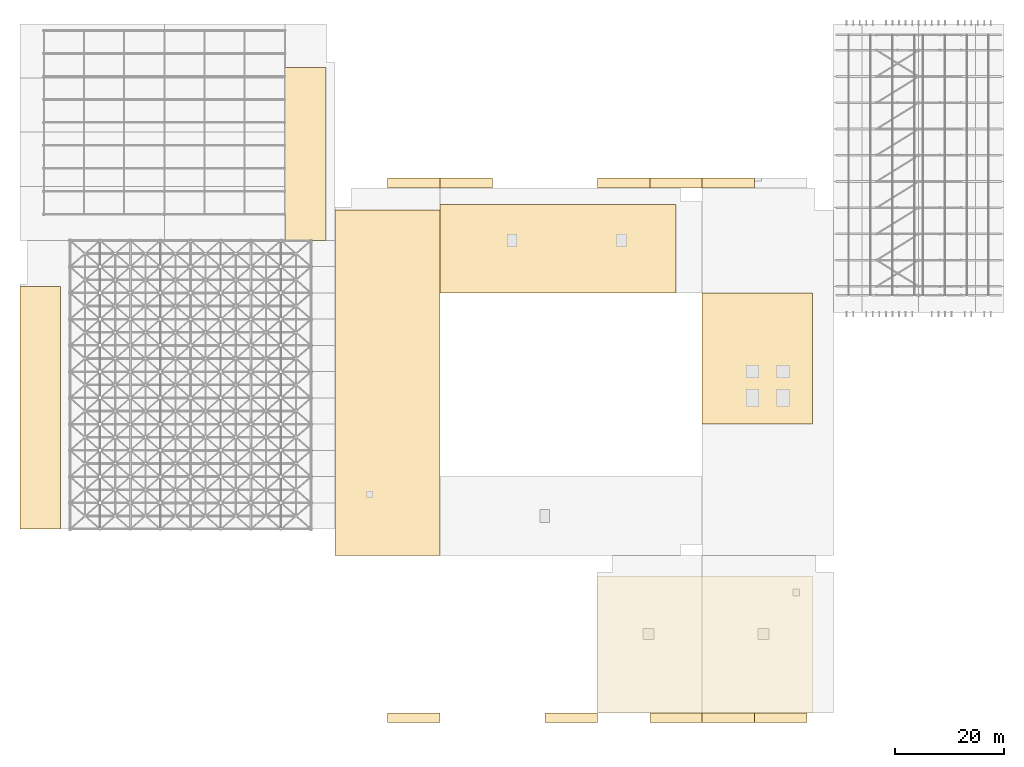
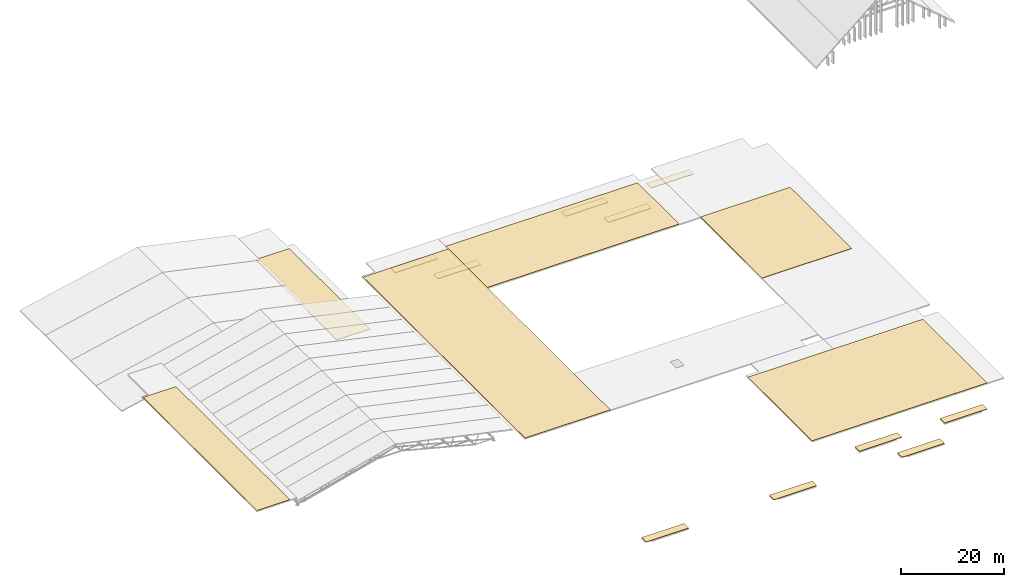
# One storey, part 58 of 60: 16 coverings.
"""IFC4 building model written with IfcOpenShell, lengths in metres."""

from ifc_helpers import new_model, si_unit, direction, frame, origin, place, context, subcontext, project, spatial, polyline, outline, extrude, material, layer, layer_set, type_object, element, save


model = new_model("IFC4")

# Units and contexts
model_context = context("Model", 3, precision=1e-05, world=origin(), true_north=direction((0.0, 1.0)))
body_context = subcontext(model_context, "Body", "Model", "MODEL_VIEW")
ifc_project = project(units=[si_unit("LENGTHUNIT", "METRE"), si_unit("AREAUNIT", "SQUARE_METRE"), si_unit("VOLUMEUNIT", "CUBIC_METRE"), si_unit("PLANEANGLEUNIT", "RADIAN"), si_unit("MASSUNIT", "GRAM", prefix="KILO")], contexts=[model_context])

# Site, building, storey
site_placement = place(None, origin())
site = spatial("IfcSite", under=ifc_project, at=site_placement, CompositionType="ELEMENT")
building_placement = place(site_placement, origin())
building = spatial("IfcBuilding", under=site, at=building_placement, Name="Nakhvara Creek Congress Hotel", CompositionType="ELEMENT")
storey_placement = place(building_placement, frame((0.0, 0.0, 54.60009765625)))
storey = spatial("IfcBuildingStorey", under=building, at=storey_placement, Name="RL1", CompositionType="ELEMENT", Elevation=54.60009765625)

# Coverings
ifc_material = material(Name="High-SRI cool-roof EPDM membrane and tapered insulation")
ifc_layer = layer(ifc_material, 0.080078125)
ifc_layer_set = layer_set([ifc_layer], Name="High-SRI cool-roof EPDM membrane and tapered insulation")
covering_type = type_object("IfcCoveringType", Name="COV-ROOF-MEM", PredefinedType="ROOFING", material=ifc_layer_set)
covering_1_placement = place(storey_placement, frame((0.0, 0.0, -38.400146484375)))
element("IfcCovering", 1, at=covering_1_placement, inside=storey, type_object=covering_type, Name="Glazed Box Limestone Coping Cap PBOX-L02-N1", PredefinedType="ROOFING", context=body_context, shape_type="SweptSolid", body=[
    extrude(outline(polyline([(67.199951171875, 96.0), (76.800048828125, 96.0), (76.800048828125, 97.800048828125), (67.199951171875, 97.800048828125), (67.199951171875, 96.0)])), origin(), (0.0, 0.0, 1.0), 0.1201171875),
])
covering_2_placement = place(storey_placement, frame((0.0, 0.0, -38.400146484375)))
element("IfcCovering", 2, at=covering_2_placement, inside=storey, type_object=covering_type, Name="Glazed Box Limestone Coping Cap PBOX-L02-N2", PredefinedType="ROOFING", context=body_context, shape_type="SweptSolid", body=[
    extrude(outline(polyline([(105.60009765625, 96.0), (115.199951171875, 96.0), (115.199951171875, 97.800048828125), (105.60009765625, 97.800048828125), (105.60009765625, 96.0)])), origin(), (0.0, 0.0, 1.0), 0.1201171875),
])
covering_3_placement = place(storey_placement, frame((0.0, 0.0, -38.400146484375)))
element("IfcCovering", 3, at=covering_3_placement, inside=storey, type_object=covering_type, Name="Glazed Box Limestone Coping Cap PBOX-L02-N3", PredefinedType="ROOFING", context=body_context, shape_type="SweptSolid", body=[
    extrude(outline(polyline([(124.800048828125, 96.0), (134.39990234375, 96.0), (134.39990234375, 97.800048828125), (124.800048828125, 97.800048828125), (124.800048828125, 96.0)])), origin(), (0.0, 0.0, 1.0), 0.1201171875),
])
covering_4_placement = place(storey_placement, frame((0.0, 0.0, -38.400146484375)))
element("IfcCovering", 4, at=covering_4_placement, inside=storey, type_object=covering_type, Name="Glazed Box Limestone Coping Cap PBOX-L02-S1", PredefinedType="ROOFING", context=body_context, shape_type="SweptSolid", body=[
    extrude(outline(polyline([(115.199951171875, -1.800048828125), (124.800048828125, -1.800048828125), (124.800048828125, 0.0), (115.199951171875, 0.0), (115.199951171875, -1.800048828125)])), origin(), (0.0, 0.0, 1.0), 0.1201171875),
])
covering_5_placement = place(storey_placement, frame((0.0, 0.0, -38.400146484375)))
element("IfcCovering", 5, at=covering_5_placement, inside=storey, type_object=covering_type, Name="Glazed Box Limestone Coping Cap PBOX-L02-S2", PredefinedType="ROOFING", context=body_context, shape_type="SweptSolid", body=[
    extrude(outline(polyline([(134.39990234375, -1.800048828125), (144.0, -1.800048828125), (144.0, 0.0), (134.39990234375, 0.0), (134.39990234375, -1.800048828125)])), origin(), (0.0, 0.0, 1.0), 0.1201171875),
])
covering_6_placement = place(storey_placement, frame((0.0, 0.0, -43.2001953125)))
element("IfcCovering", 6, at=covering_6_placement, inside=storey, type_object=covering_type, Name="Glazed Box Limestone Coping Cap PBOX-L01-N1", PredefinedType="ROOFING", context=body_context, shape_type="SweptSolid", body=[
    extrude(outline(polyline([(76.800048828125, 96.0), (86.39990234375, 96.0), (86.39990234375, 97.800048828125), (76.800048828125, 97.800048828125), (76.800048828125, 96.0)])), origin(), (0.0, 0.0, 1.0), 0.1201171875),
])
covering_7_placement = place(storey_placement, frame((0.0, 0.0, -43.2001953125)))
element("IfcCovering", 7, at=covering_7_placement, inside=storey, type_object=covering_type, Name="Glazed Box Limestone Coping Cap PBOX-L01-N2", PredefinedType="ROOFING", context=body_context, shape_type="SweptSolid", body=[
    extrude(outline(polyline([(115.199951171875, 96.0), (124.800048828125, 96.0), (124.800048828125, 97.800048828125), (115.199951171875, 97.800048828125), (115.199951171875, 96.0)])), origin(), (0.0, 0.0, 1.0), 0.1201171875),
])
covering_8_placement = place(storey_placement, frame((0.0, 0.0, -43.2001953125)))
element("IfcCovering", 8, at=covering_8_placement, inside=storey, type_object=covering_type, Name="Glazed Box Limestone Coping Cap PBOX-L01-S1", PredefinedType="ROOFING", context=body_context, shape_type="SweptSolid", body=[
    extrude(outline(polyline([(67.199951171875, -1.800048828125), (76.800048828125, -1.800048828125), (76.800048828125, 0.0), (67.199951171875, 0.0), (67.199951171875, -1.800048828125)])), origin(), (0.0, 0.0, 1.0), 0.1201171875),
])
covering_9_placement = place(storey_placement, frame((0.0, 0.0, -43.2001953125)))
element("IfcCovering", 9, at=covering_9_placement, inside=storey, type_object=covering_type, Name="Glazed Box Limestone Coping Cap PBOX-L01-S2", PredefinedType="ROOFING", context=body_context, shape_type="SweptSolid", body=[
    extrude(outline(polyline([(96.0, -1.800048828125), (105.60009765625, -1.800048828125), (105.60009765625, 0.0), (96.0, 0.0), (96.0, -1.800048828125)])), origin(), (0.0, 0.0, 1.0), 0.1201171875),
])
covering_10_placement = place(storey_placement, frame((0.0, 0.0, -43.2001953125)))
element("IfcCovering", 10, at=covering_10_placement, inside=storey, type_object=covering_type, Name="Glazed Box Limestone Coping Cap PBOX-L01-S3", PredefinedType="ROOFING", context=body_context, shape_type="SweptSolid", body=[
    extrude(outline(polyline([(124.800048828125, -1.800048828125), (134.39990234375, -1.800048828125), (134.39990234375, 0.0), (124.800048828125, 0.0), (124.800048828125, -1.800048828125)])), origin(), (0.0, 0.0, 1.0), 0.1201171875),
])
covering_11_placement = place(storey_placement, frame((0.0, 0.0, -33.60009765625)))
element("IfcCovering", 11, at=covering_11_placement, inside=storey, type_object=covering_type, Name="Cool-Roof EPDM Waterproofing Membrane 01", PredefinedType="ROOFING", context=body_context, shape_type="SweptSolid", body=[
    extrude(outline(polyline([(57.60009765625, 28.800048828125), (76.800048828125, 28.800048828125), (76.800048828125, 92.0), (57.60009765625, 92.0), (57.60009765625, 28.800048828125)])), origin(), (0.0, 0.0, 1.0), 0.080078125),
])
covering_12_placement = place(storey_placement, frame((0.0, 0.0, -33.60009765625)))
element("IfcCovering", 12, at=covering_12_placement, inside=storey, type_object=covering_type, Name="Cool-Roof EPDM Waterproofing Membrane 02", PredefinedType="ROOFING", context=body_context, shape_type="SweptSolid", body=[
    extrude(outline(polyline([(76.800048828125, 76.800048828125), (120.0, 76.800048828125), (120.0, 93.0), (76.800048828125, 93.0), (76.800048828125, 76.800048828125)])), origin(), (0.0, 0.0, 1.0), 0.080078125),
])
covering_13_placement = place(storey_placement, frame((0.0, 0.0, -33.60009765625)))
element("IfcCovering", 13, at=covering_13_placement, inside=storey, type_object=covering_type, Name="Cool-Roof EPDM Waterproofing Membrane 03", PredefinedType="ROOFING", context=body_context, shape_type="SweptSolid", body=[
    extrude(outline(polyline([(124.800048828125, 52.800048828125), (145.0, 52.800048828125), (145.0, 76.800048828125), (124.800048828125, 76.800048828125), (124.800048828125, 52.800048828125)])), origin(), (0.0, 0.0, 1.0), 0.080078125),
])
covering_14_placement = place(storey_placement, frame((0.0, 0.0, -33.60009765625)))
element("IfcCovering", 14, at=covering_14_placement, inside=storey, type_object=covering_type, Name="Cool-Roof EPDM Waterproofing Membrane 04", PredefinedType="ROOFING", context=body_context, shape_type="SweptSolid", body=[
    extrude(outline(polyline([(105.60009765625, 0.0), (145.0, 0.0), (145.0, 25.0), (105.60009765625, 25.0), (105.60009765625, 0.0)])), origin(), (0.0, 0.0, 1.0), 0.080078125),
])
covering_15_placement = place(storey_placement, frame((0.0, 0.0, -33.60009765625)))
element("IfcCovering", 15, at=covering_15_placement, inside=storey, type_object=covering_type, Name="Cool-Roof EPDM Waterproofing Membrane 05", PredefinedType="ROOFING", context=body_context, shape_type="SweptSolid", body=[
    extrude(outline(polyline([(0.0, 33.60009765625), (7.39990234375, 33.60009765625), (7.39990234375, 78.0), (0.0, 78.0), (0.0, 33.60009765625)])), origin(), (0.0, 0.0, 1.0), 0.080078125),
])
covering_16_placement = place(storey_placement, frame((0.0, 0.0, -42.0)))
element("IfcCovering", 16, at=covering_16_placement, inside=storey, type_object=covering_type, Name="Cool-Roof EPDM Waterproofing Membrane 06", PredefinedType="ROOFING", context=body_context, shape_type="SweptSolid", body=[
    extrude(outline(polyline([(48.449951171875, 86.39990234375), (56.0, 86.39990234375), (56.0, 118.0), (48.449951171875, 118.0), (48.449951171875, 86.39990234375)])), origin(), (0.0, 0.0, 1.0), 0.079833984375),
])

save(model, "model.ifc")
